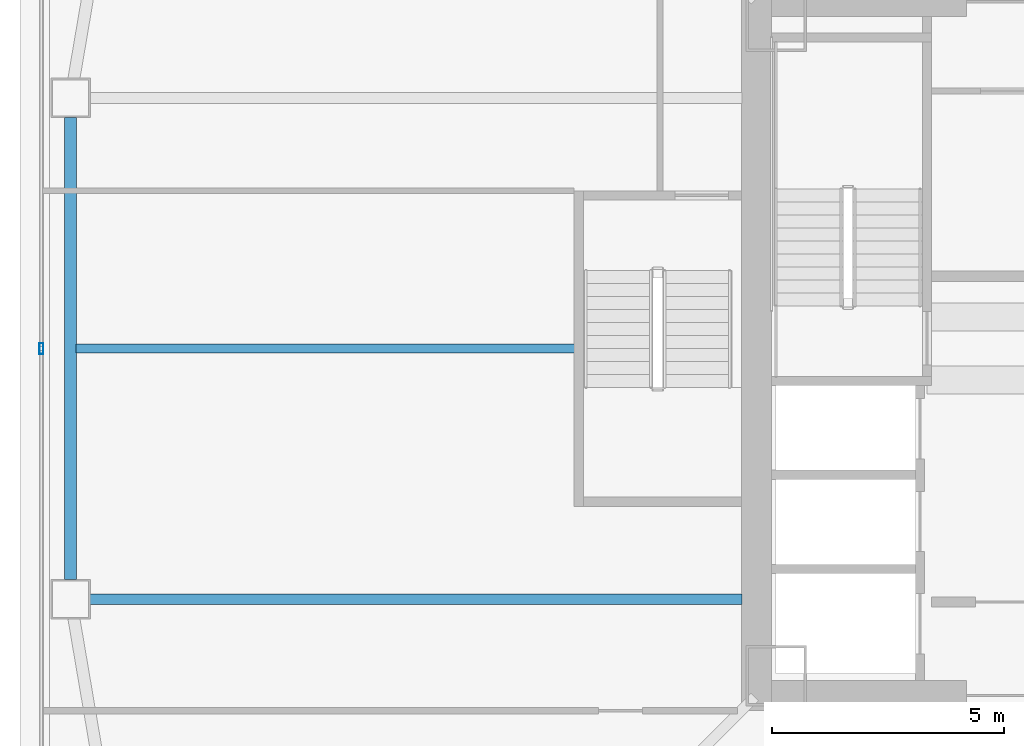
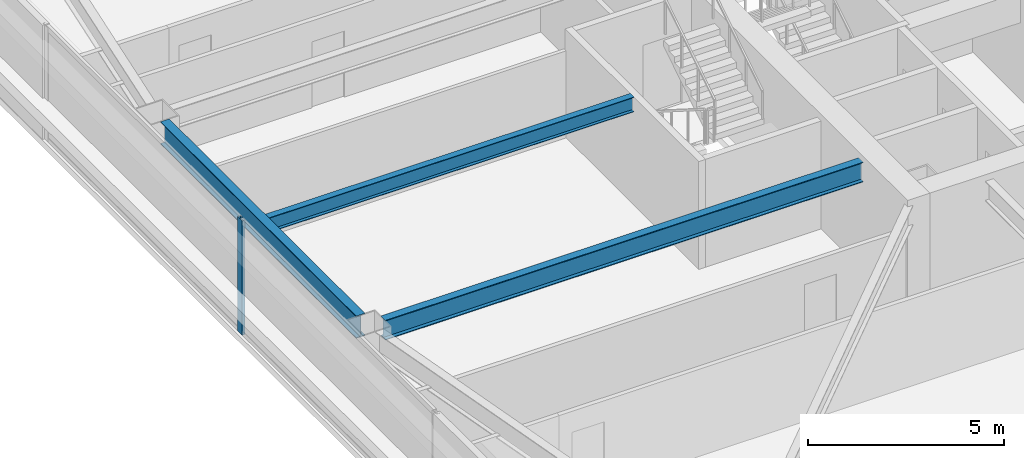
# One storey, part 7 of 51: 3 beams, 1 member, 1 element without a shape of its own.
"""IFC4 building model written with IfcOpenShell, lengths in metres."""

import ifcopenshell
import ifcopenshell.guid

model = None  # the IFC model being written
_history = None  # IfcOwnerHistory: only IFC2X3 demands one
_inside = {}  # id of a spatial element -> (the spatial element, [elements in it])
_under = {}  # id of a project, library or spatial element -> (it, [spatial elements below it])
_declared = {}  # id of a project -> (the project, [libraries it declares])
_typed = {}  # id of a type object -> (the type object, [elements of that type])
_made_of = {}  # id of a material, layer set ... -> (it, [elements and type objects made of it])


def new_model(schema):
    """Start an empty IFC model of exactly this schema.

    Asked for "IFC4X3", IfcOpenShell would pick the latest addendum, in which some entities
    have other attributes; the version numbers below select the first issue.
    IFC2X3 requires an IfcOwnerHistory on every rooted entity: one is made here for all.
    """
    global model, _history
    if schema == "IFC4X3":
        model = ifcopenshell.file(schema_version=(4, 3, 0, 0))
    else:
        model = ifcopenshell.file(schema=schema)
    _inside.clear()
    _under.clear()
    _declared.clear()
    _typed.clear()
    _made_of.clear()
    _history = None
    if model.schema == "IFC2X3":
        org = make("IfcOrganization", Name="unknown")
        user = make(
            "IfcPersonAndOrganization",
            ThePerson=make("IfcPerson", FamilyName="unknown"),
            TheOrganization=org,
        )
        app = make(
            "IfcApplication",
            ApplicationDeveloper=org,
            Version="unknown",
            ApplicationFullName="unknown",
            ApplicationIdentifier="unknown",
        )
        _history = make(
            "IfcOwnerHistory",
            OwningUser=user,
            OwningApplication=app,
            ChangeAction="ADDED",
            CreationDate=0,
        )
    return model


def make(cls, **values):
    """One entity of the class cls with the attributes given. An attribute that is None is left unset."""
    return model.create_entity(
        cls, **{name: value for name, value in values.items() if value is not None}
    )


def rooted(cls, **values):
    """An entity with a GlobalId (a new one), such as an element, a storey or a relation."""
    return make(cls, GlobalId=ifcopenshell.guid.new(), OwnerHistory=_history, **values)


def si_unit(unit_type, name, prefix=None):
    """IfcSIUnit, for example si_unit("LENGTHUNIT", "METRE", prefix="MILLI")."""
    return make("IfcSIUnit", UnitType=unit_type, Prefix=prefix, Name=name)


def assignment(units):
    """IfcUnitAssignment: the units of a project."""
    return None if units is None else make("IfcUnitAssignment", Units=units)


def point(xyz):
    """IfcCartesianPoint."""
    return None if xyz is None else make("IfcCartesianPoint", Coordinates=xyz)


def direction(xyz):
    """IfcDirection."""
    return None if xyz is None else make("IfcDirection", DirectionRatios=xyz)


def frame(location, z_axis=None, x_axis=None):
    """IfcAxis2Placement3D, a coordinate frame: its origin and axes. An axis left out is left unset."""
    return make(
        "IfcAxis2Placement3D",
        Location=point(location),
        Axis=direction(z_axis),
        RefDirection=direction(x_axis),
    )


def frame_2d(location, x_axis=None):
    """IfcAxis2Placement2D, a coordinate frame in the plane: its origin and x axis."""
    return make(
        "IfcAxis2Placement2D", Location=point(location), RefDirection=direction(x_axis)
    )


def origin():
    """The frame at (0, 0, 0) with its axes left unset."""
    return frame((0.0, 0.0, 0.0))


def origin_2d():
    """The frame at (0, 0) in the plane with its x axis left unset."""
    return frame_2d((0.0, 0.0))


def place(relative_to, where):
    """IfcLocalPlacement: puts the frame where relative to a parent placement (None: the world)."""
    return make(
        "IfcLocalPlacement", PlacementRelTo=relative_to, RelativePlacement=where
    )


def context(
    kind, dimensions, precision=None, world=None, true_north=None, identifier=None
):
    """IfcGeometricRepresentationContext, for example the 3D "Model" context."""
    return make(
        "IfcGeometricRepresentationContext",
        ContextIdentifier=identifier,
        ContextType=kind,
        CoordinateSpaceDimension=dimensions,
        Precision=precision,
        WorldCoordinateSystem=world,
        TrueNorth=true_north,
    )


def subcontext(parent, identifier, kind, view, scale=None):
    """IfcGeometricRepresentationSubContext, for example "Body" below "Model"."""
    return make(
        "IfcGeometricRepresentationSubContext",
        ContextIdentifier=identifier,
        ContextType=kind,
        ParentContext=parent,
        TargetScale=scale,
        TargetView=view,
    )


def project(units=None, contexts=None):
    """IfcProject with its units and contexts."""
    return rooted(
        "IfcProject",
        Name="project",
        RepresentationContexts=contexts,
        UnitsInContext=assignment(units),
    )


def spatial(cls, under=None, at=None, **own):
    """A site, building, storey or space (cls), placed at a placement, below another one or the project."""
    s = rooted(cls, ObjectPlacement=at, **own)
    if under is not None:
        _under.setdefault(under.id(), (under, []))[1].append(s)
    return s


def profile(cls, at=None, kind="AREA", **sizes):
    """A parametric profile (cls). Its sizes go by their IFC names, for example OverallWidth=200.0."""
    return make(cls, ProfileType=kind, Position=at, **sizes)


def hollow_rectangle(**sizes):
    """IfcRectangleHollowProfileDef."""
    return profile("IfcRectangleHollowProfileDef", **sizes)


def i_section(**sizes):
    """IfcIShapeProfileDef."""
    return profile("IfcIShapeProfileDef", **sizes)


def extrude(swept, where, along, depth):
    """IfcExtrudedAreaSolid: the profile swept, set in the frame where, extruded along a direction by depth."""
    return make(
        "IfcExtrudedAreaSolid",
        SweptArea=swept,
        Position=where,
        ExtrudedDirection=direction(along),
        Depth=depth,
    )


def shape(context_of_items, identifier, shape_type, items):
    """IfcShapeRepresentation: the items that make up one representation, for example the "Body"."""
    return make(
        "IfcShapeRepresentation",
        ContextOfItems=context_of_items,
        RepresentationIdentifier=identifier,
        RepresentationType=shape_type,
        Items=items,
    )


def material(Name=None, Category=None):
    """IfcMaterial."""
    return make("IfcMaterial", Name=Name, Category=Category)


def material_profile(
    of_material, cross_section, Name=None, Category=None, Priority=None
):
    """IfcMaterialProfile: a cross section and its material."""
    return make(
        "IfcMaterialProfile",
        Name=Name,
        Material=of_material,
        Profile=cross_section,
        Priority=Priority,
        Category=Category,
    )


def profile_set(profiles, Name=None, composite=None):
    """IfcMaterialProfileSet."""
    return make(
        "IfcMaterialProfileSet",
        Name=Name,
        MaterialProfiles=profiles,
        CompositeProfile=composite,
    )


def made_of(thing, what):
    """Note that an element or type object is made of a material, layer set ...; save() writes the relation."""
    if what is not None:
        _made_of.setdefault(what.id(), (what, []))[1].append(thing)
    return thing


def type_object(cls, material=None, **own):
    """A type object (cls), such as IfcWallType, which elements share."""
    return made_of(rooted(cls, **own), material)


def element(
    cls,
    number,
    at=None,
    inside=None,
    cuts=None,
    type_object=None,
    material=None,
    context=None,
    identifier="Body",
    shape_type=None,
    held_by="IfcProductDefinitionShape",
    body=None,
    shapes=None,
    **own,
):
    """One element of the class cls, such as IfcWall. Its Tag is "e" and its number.

    at: its placement. inside: the storey or other place that contains it. cuts: it is an
    opening in that element (IfcRelVoidsElement). A single representation is given by context,
    identifier, shape_type and body (its items); several are given by shapes. held_by: the class
    of the entity that holds the representations. save() writes the other relations.
    """
    e = rooted(cls, Tag="e%d" % number, ObjectPlacement=at, **own)
    if body is not None:
        shapes = [shape(context, identifier, shape_type, body)]
    if shapes is not None:
        e.Representation = make(held_by, Representations=shapes)
    if inside is not None:
        _inside.setdefault(inside.id(), (inside, []))[1].append(e)
    if cuts is not None:
        rooted(
            "IfcRelVoidsElement", RelatingBuildingElement=cuts, RelatedOpeningElement=e
        )
    if type_object is not None:
        _typed.setdefault(type_object.id(), (type_object, []))[1].append(e)
    return made_of(e, material)


def aggregate(whole, parts):
    """IfcRelAggregates: a whole, such as a stair, and the parts it consists of."""
    return rooted("IfcRelAggregates", RelatingObject=whole, RelatedObjects=parts)


def save(model, path):
    """Write the relations noted so far, then the file.

    IfcRelAggregates (storeys below a building ...), IfcRelContainedInSpatialStructure (elements
    in a storey), IfcRelDefinesByType, IfcRelAssociatesMaterial and IfcRelDeclares: one each for
    every whole, place, type object, material and project.
    """
    for whole, parts in _under.values():
        aggregate(whole, parts)
    for where, things in _inside.values():
        rooted(
            "IfcRelContainedInSpatialStructure",
            RelatedElements=things,
            RelatingStructure=where,
        )
    for kind, things in _typed.values():
        rooted("IfcRelDefinesByType", RelatedObjects=things, RelatingType=kind)
    for what, things in _made_of.values():
        rooted("IfcRelAssociatesMaterial", RelatedObjects=things, RelatingMaterial=what)
    for by, libraries in _declared.values():
        rooted("IfcRelDeclares", RelatingContext=by, RelatedDefinitions=libraries)
    model.write(path)


model = new_model("IFC4")

# Units and contexts
model_context = context("Model", 3, precision=1e-05, world=origin(), true_north=direction((0.0, 1.0)))
body_context = subcontext(model_context, "Body", "Model", "MODEL_VIEW")
ifc_project = project(units=[si_unit("LENGTHUNIT", "METRE"), si_unit("AREAUNIT", "SQUARE_METRE"), si_unit("VOLUMEUNIT", "CUBIC_METRE"), si_unit("PLANEANGLEUNIT", "RADIAN"), si_unit("MASSUNIT", "GRAM", prefix="KILO")], contexts=[model_context])

# Site, building, storey
site_placement = place(None, origin())
site = spatial("IfcSite", under=ifc_project, at=site_placement, CompositionType="ELEMENT")
building_placement = place(site_placement, origin())
building = spatial("IfcBuilding", under=site, at=building_placement, Name="Tashvorn Skyway Center", CompositionType="ELEMENT")
storey_placement = place(building_placement, frame((0.0, 0.0, 49.449951171875)))
storey = spatial("IfcBuildingStorey", under=building, at=storey_placement, Name="L12", CompositionType="ELEMENT", Elevation=49.449951171875)

# Beams
ifc_material_1 = material(Name="Steel ASTM A992 Grade 50", Category="steel")
ifc_material_profile_1 = material_profile(ifc_material_1, i_section(OverallWidth=0.22998046875, OverallDepth=0.616943359375, WebThickness=0.01318359375, FlangeThickness=0.022216796875, at=origin_2d()), Name="W24X94")
ifc_profile_set_1 = profile_set([ifc_material_profile_1], Name="Steel ASTM A992 Grade 50")
beam_type_1 = type_object("IfcBeamType", Name="BM-BEAM-W24X94", PredefinedType="BEAM", material=ifc_profile_set_1)
beam_1_placement = place(storey_placement, frame((20.169921875, 26.60009765625, 3.04150390625), z_axis=(1.0, 0.0, 0.0), x_axis=(0.0, 1.0, 0.0)))
element("IfcBeam", 1, at=beam_1_placement, inside=storey, type_object=beam_type_1, Name="Tower 1 L12 Primary Floor Girder FC-W2", PredefinedType="BEAM", context=body_context, shape_type="SweptSolid", body=[
    extrude(i_section(OverallWidth=0.22998046875, OverallDepth=0.616943359375, WebThickness=0.01318359375, FlangeThickness=0.022216796875, at=origin_2d()), origin(), (0.0, 0.0, 1.0), 14.050048828125),
])
ifc_material_profile_2 = material_profile(ifc_material_1, i_section(OverallWidth=0.19091796875, OverallDepth=0.4599609375, WebThickness=0.010009765625, FlangeThickness=0.01611328125, at=origin_2d()), Name="W18X55")
ifc_profile_set_2 = profile_set([ifc_material_profile_2], Name="Steel ASTM A992 Grade 50")
beam_type_2 = type_object("IfcBeamType", Name="BM-JOIST-W18X55", PredefinedType="JOIST", material=ifc_profile_set_2)
beam_2_placement = place(storey_placement, frame((30.610107421875, 32.0, 3.1201171875), z_axis=(-1.0, 0.0, 0.0), x_axis=(0.0, -1.0, 0.0)))
element("IfcBeam", 2, at=beam_2_placement, inside=storey, type_object=beam_type_2, Name="Tower 1 L12 Secondary Composite Joist JW", PredefinedType="JOIST", context=body_context, shape_type="SweptSolid", body=[
    extrude(i_section(OverallWidth=0.19091796875, OverallDepth=0.4599609375, WebThickness=0.010009765625, FlangeThickness=0.01611328125, at=origin_2d()), origin(), (0.0, 0.0, 1.0), 10.739990234375),
])
ifc_material_profile_3 = material_profile(ifc_material_1, i_section(OverallWidth=0.256103515625, OverallDepth=0.693115234375, WebThickness=0.014404296875, FlangeThickness=0.023681640625, at=origin_2d()), Name="W27X114")
ifc_profile_set_3 = profile_set([ifc_material_profile_3], Name="Steel ASTM A992 Grade 50")
beam_type_3 = type_object("IfcBeamType", Name="BM-SPANDREL-W27X114", PredefinedType="SPANDREL", material=ifc_profile_set_3)
beam_3_placement = place(storey_placement, frame((19.75, 36.97998046875, 3.003662109375), z_axis=(0.0, -1.0, 0.0), x_axis=(1.0, 0.0, 0.0)))
element("IfcBeam", 3, at=beam_3_placement, inside=storey, type_object=beam_type_3, Name="Tower 1 L12 Spandrel Beam 11", PredefinedType="SPANDREL", context=body_context, shape_type="SweptSolid", body=[
    extrude(i_section(OverallWidth=0.256103515625, OverallDepth=0.693115234375, WebThickness=0.014404296875, FlangeThickness=0.023681640625, at=origin_2d()), origin(), (0.0, 0.0, 1.0), 9.9599609375),
])

# Curtain wall, member
ifc_material_2 = material(Name="Thermally broken bronze-anodized aluminium 6063-T6", Category="aluminium")
curtain_wall_type = type_object("IfcCurtainWallType", Name="CW-CW-Z1", PredefinedType="NOTDEFINED", material=ifc_material_2)
curtain_wall_placement = place(storey_placement, origin())
curtain_wall = element("IfcCurtainWall", 4, at=curtain_wall_placement, inside=storey, type_object=curtain_wall_type, Name="Tower 1 L12 West Unitised Curtain Wall Glazing Group 2", PredefinedType="NOTDEFINED")
ifc_material_profile_4 = material_profile(ifc_material_2, hollow_rectangle(XDim=0.0849609375, YDim=0.239990234375, WallThickness=0.0048828125, at=origin_2d()), Name="ALU-MULL-85x240")
ifc_profile_set_4 = profile_set([ifc_material_profile_4], Name="Thermally broken bronze-anodized aluminium 6063-T6")
member_type = type_object("IfcMemberType", Name="CWM-CW-Z1", PredefinedType="MULLION", material=ifc_profile_set_4)
member_placement = place(storey_placement, frame((19.1201171875, 32.0, 0.0), z_axis=(0.0, 0.0, 1.0), x_axis=(-1.0, 0.0, 0.0)))
member = element("IfcMember", 5, at=member_placement, type_object=member_type, Name="CW-Z1 mullion 2", PredefinedType="MULLION", context=body_context, shape_type="SweptSolid", body=[
    extrude(hollow_rectangle(XDim=0.0849609375, YDim=0.239990234375, WallThickness=0.0048828125, at=origin_2d()), origin(), (0.0, 0.0, 1.0), 3.550048828125),
])
aggregate(curtain_wall, [member])

save(model, "model.ifc")
